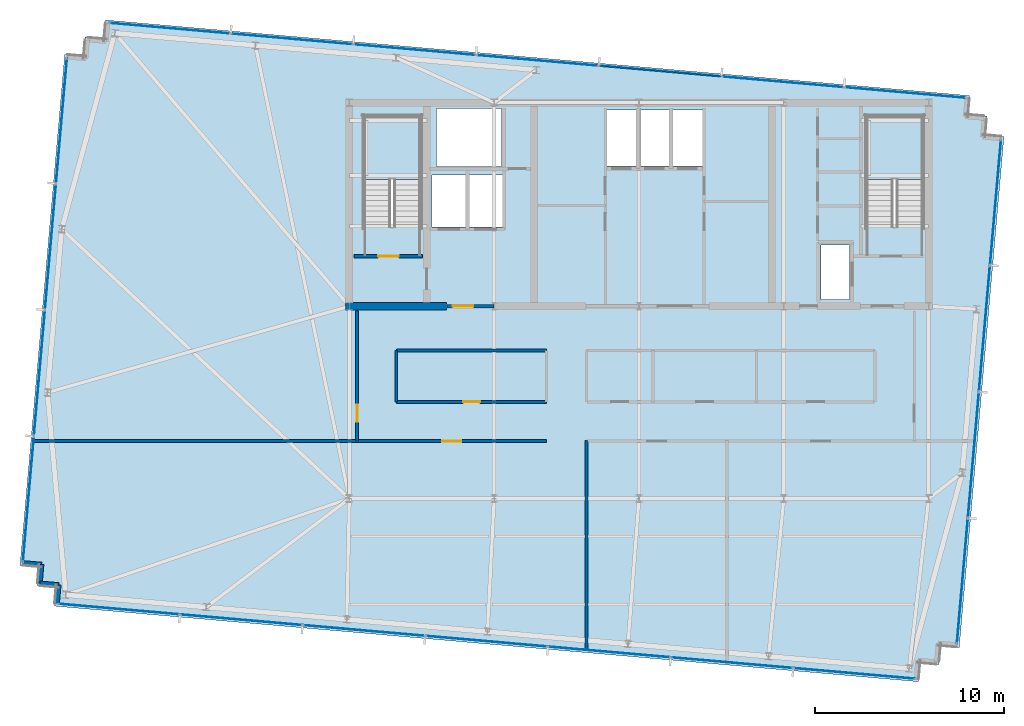
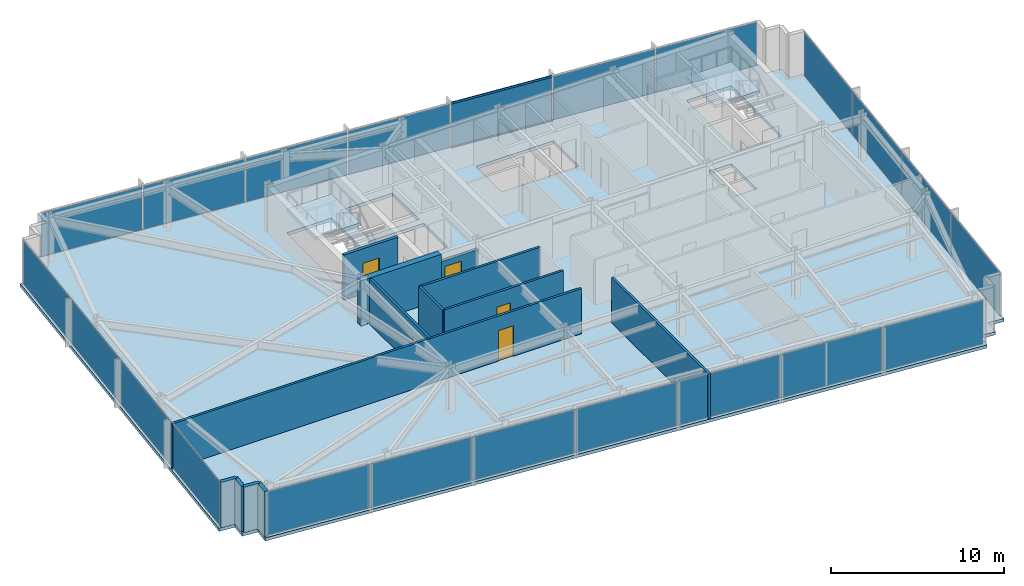
# One storey, part 26 of 32: 22 plates, 13 walls, 5 doors, 3 slabs, 2 members, 5 openings, 6 elements without a shape of their own.
"""IFC4 building model written with IfcOpenShell, lengths in metres."""

from ifc_helpers import new_model, si_unit, direction, frame, frame_2d, origin, origin_2d, place, context, subcontext, project, spatial, polyline, rectangle, hollow_rectangle, outline, extrude, material, layer, layer_set, material_profile, profile_set, type_object, element, fill, aggregate, save


model = new_model("IFC4")

# Units and contexts
model_context = context("Model", 3, precision=1e-05, world=origin(), true_north=direction((0.0, 1.0)))
body_context = subcontext(model_context, "Body", "Model", "MODEL_VIEW")
ifc_project = project(units=[si_unit("LENGTHUNIT", "METRE"), si_unit("AREAUNIT", "SQUARE_METRE"), si_unit("VOLUMEUNIT", "CUBIC_METRE"), si_unit("PLANEANGLEUNIT", "RADIAN"), si_unit("MASSUNIT", "GRAM", prefix="KILO")], contexts=[model_context])

# Site, building, storey
site_placement = place(None, origin())
site = spatial("IfcSite", under=ifc_project, at=site_placement, CompositionType="ELEMENT")
building_placement = place(site_placement, origin())
building = spatial("IfcBuilding", under=site, at=building_placement, Name="Yelkora Congress Tower", CompositionType="ELEMENT")
storey_placement = place(building_placement, frame((0.0, 0.0, 272.699951171875)))
storey = spatial("IfcBuildingStorey", under=building, at=storey_placement, Name="L76", CompositionType="ELEMENT", Elevation=272.699951171875)

# Curtain wall, members
ifc_material_1 = material(Name="Anodised aluminium and insulated glass", Category="aluminium")
curtain_wall_type = type_object("IfcCurtainWallType", Name="CW-SYS-B5", PredefinedType="NOTDEFINED", material=ifc_material_1)
curtain_wall_1_placement = place(storey_placement, origin())
curtain_wall_1 = element("IfcCurtainWall", 1, at=curtain_wall_1_placement, inside=storey, type_object=curtain_wall_type, Name="L76 Unitised Curtain Wall 10", PredefinedType="NOTDEFINED")
ifc_material_2 = material(Name="Anodised aluminium 6063-T6", Category="aluminium")
ifc_material_profile = material_profile(ifc_material_2, hollow_rectangle(XDim=0.06005859375, YDim=0.1298828125, WallThickness=0.00390625, at=origin_2d()), Name="ALU 60x130x4")
ifc_profile_set = profile_set([ifc_material_profile], Name="Anodised aluminium 6063-T6")
member_type = type_object("IfcMemberType", Name="MEM-TR-B5", PredefinedType="USERDEFINED", material=ifc_profile_set)
member_1_placement = place(storey_placement, frame((36.298583984375, 48.14794921875, 0.030029296875), z_axis=(0.996192979814, -0.08717538052, 0.0), x_axis=(0.08717538052, 0.996192979814, 0.0)))
member_1 = element("IfcMember", 2, at=member_1_placement, type_object=member_type, Name="CW-B5 transom 5.1", ObjectType="TRANSOM", PredefinedType="USERDEFINED", context=body_context, shape_type="SweptSolid", body=[
    extrude(hollow_rectangle(XDim=0.06005859375, YDim=0.1298828125, WallThickness=0.00390625, at=origin_2d()), origin(), (0.0, 0.0, 1.0), 6.466552734375),
])
member_2_placement = place(storey_placement, frame((36.298583984375, 48.14794921875, 3.150146484375), z_axis=(0.996192979814, -0.08717538052, 0.0), x_axis=(0.08717538052, 0.996192979814, 0.0)))
member_2 = element("IfcMember", 3, at=member_2_placement, type_object=member_type, Name="CW-B5 transom 5.2", ObjectType="TRANSOM", PredefinedType="USERDEFINED", context=body_context, shape_type="SweptSolid", body=[
    extrude(hollow_rectangle(XDim=0.06005859375, YDim=0.1298828125, WallThickness=0.00390625, at=origin_2d()), origin(), (0.0, 0.0, 1.0), 6.466552734375),
])

# Curtain wall, plates
curtain_wall_2_placement = place(storey_placement, origin())
curtain_wall_2 = element("IfcCurtainWall", 4, at=curtain_wall_2_placement, inside=storey, type_object=curtain_wall_type, Name="L76 Unitised Curtain Wall 5", PredefinedType="NOTDEFINED")
ifc_material_3 = material(Name="High-altitude triple glazed unit B5", Category="glass")
ifc_layer_1 = layer(ifc_material_3, 0.033935546875)
ifc_layer_set_1 = layer_set([ifc_layer_1], Name="High-altitude triple glazed unit B5")
plate_type = type_object("IfcPlateType", Name="PLT-PN-B5", PredefinedType="CURTAIN_PANEL", material=ifc_layer_set_1)
plate_1_placement = place(storey_placement, frame((6.021728515625, 25.16064453125, 0.06005859375), z_axis=(0.0, 0.0, 1.0), x_axis=(0.08715473876, 0.996194785929, 0.0)))
plate_1 = element("IfcPlate", 5, at=plate_1_placement, type_object=plate_type, Name="CW-B5 panel 1.1", PredefinedType="CURTAIN_PANEL", context=body_context, shape_type="SweptSolid", body=[
    extrude(rectangle(XDim=6.632568359375, YDim=0.033935546875, at=origin_2d()), origin(), (0.0, 0.0, 1.0), 3.06005859375),
])
plate_2_placement = place(storey_placement, frame((6.60693359375, 31.848876953125, 0.06005859375), z_axis=(0.0, 0.0, 1.0), x_axis=(0.08715473876, 0.996194785929, 0.0)))
plate_2 = element("IfcPlate", 6, at=plate_2_placement, type_object=plate_type, Name="CW-B5 panel 2.1", PredefinedType="CURTAIN_PANEL", context=body_context, shape_type="SweptSolid", body=[
    extrude(rectangle(XDim=6.6650390625, YDim=0.033935546875, at=origin_2d()), origin(), (0.0, 0.0, 1.0), 3.06005859375),
])
plate_3_placement = place(storey_placement, frame((7.193359375, 38.55322265625, 0.06005859375), z_axis=(0.0, 0.0, 1.0), x_axis=(0.08715473876, 0.996194785929, 0.0)))
plate_3 = element("IfcPlate", 7, at=plate_3_placement, type_object=plate_type, Name="CW-B5 panel 3.1", PredefinedType="CURTAIN_PANEL", context=body_context, shape_type="SweptSolid", body=[
    extrude(rectangle(XDim=6.6650390625, YDim=0.033935546875, at=origin_2d()), origin(), (0.0, 0.0, 1.0), 3.06005859375),
])
plate_4_placement = place(storey_placement, frame((7.778564453125, 45.2412109375, 0.06005859375), z_axis=(0.0, 0.0, 1.0), x_axis=(0.08715473876, 0.996194785929, 0.0)))
plate_4 = element("IfcPlate", 8, at=plate_4_placement, type_object=plate_type, Name="CW-B5 panel 4.1", PredefinedType="CURTAIN_PANEL", context=body_context, shape_type="SweptSolid", body=[
    extrude(rectangle(XDim=6.632568359375, YDim=0.033935546875, at=origin_2d()), origin(), (0.0, 0.0, 1.0), 3.06005859375),
])
aggregate(curtain_wall_2, [plate_1, plate_2, plate_3, plate_4])

# Plate
plate_5_placement = place(storey_placement, frame((13.509521484375, 50.141845703125, 0.06005859375), z_axis=(0.0, 0.0, 1.0), x_axis=(0.996194619601, -0.087156639893, 0.0)))
plate_5 = element("IfcPlate", 9, at=plate_5_placement, type_object=plate_type, Name="CW-B5 panel 1.1", PredefinedType="CURTAIN_PANEL", context=body_context, shape_type="SweptSolid", body=[
    extrude(rectangle(XDim=6.433837890625, YDim=0.033935546875, at=origin_2d()), origin(), (0.0, 0.0, 1.0), 3.06005859375),
])

plate_6_placement = place(storey_placement, frame((19.999755859375, 49.573974609375, 0.06005859375), z_axis=(0.0, 0.0, 1.0), x_axis=(0.996194619601, -0.087156639893, 0.0)))
plate_6 = element("IfcPlate", 10, at=plate_6_placement, type_object=plate_type, Name="CW-B5 panel 2.1", PredefinedType="CURTAIN_PANEL", context=body_context, shape_type="SweptSolid", body=[
    extrude(rectangle(XDim=6.46630859375, YDim=0.033935546875, at=origin_2d()), origin(), (0.0, 0.0, 1.0), 3.06005859375),
])

plate_7_placement = place(storey_placement, frame((26.50634765625, 49.004638671875, 0.06005859375), z_axis=(0.0, 0.0, 1.0), x_axis=(0.996194619601, -0.087156639893, 0.0)))
plate_7 = element("IfcPlate", 11, at=plate_7_placement, type_object=plate_type, Name="CW-B5 panel 3.1", PredefinedType="CURTAIN_PANEL", context=body_context, shape_type="SweptSolid", body=[
    extrude(rectangle(XDim=6.46630859375, YDim=0.033935546875, at=origin_2d()), origin(), (0.0, 0.0, 1.0), 3.06005859375),
])

plate_8_placement = place(storey_placement, frame((33.012939453125, 48.435302734375, 0.06005859375), z_axis=(0.0, 0.0, 1.0), x_axis=(0.996194619601, -0.087156639893, 0.0)))
plate_8 = element("IfcPlate", 12, at=plate_8_placement, type_object=plate_type, Name="CW-B5 panel 4.1", PredefinedType="CURTAIN_PANEL", context=body_context, shape_type="SweptSolid", body=[
    extrude(rectangle(XDim=6.46630859375, YDim=0.033935546875, at=origin_2d()), origin(), (0.0, 0.0, 1.0), 3.06005859375),
])

plate_9_placement = place(storey_placement, frame((39.51953125, 47.8662109375, 0.06005859375), z_axis=(0.0, 0.0, 1.0), x_axis=(0.996194619601, -0.087156639893, 0.0)))
plate_9 = element("IfcPlate", 13, at=plate_9_placement, type_object=plate_type, Name="CW-B5 panel 5.1", PredefinedType="CURTAIN_PANEL", context=body_context, shape_type="SweptSolid", body=[
    extrude(rectangle(XDim=6.46630859375, YDim=0.033935546875, at=origin_2d()), origin(), (0.0, 0.0, 1.0), 3.06005859375),
])

plate_10_placement = place(storey_placement, frame((46.026123046875, 47.296875, 0.06005859375), z_axis=(0.0, 0.0, 1.0), x_axis=(0.996194619601, -0.087156639893, 0.0)))
plate_10 = element("IfcPlate", 14, at=plate_10_placement, type_object=plate_type, Name="CW-B5 panel 6.1", PredefinedType="CURTAIN_PANEL", context=body_context, shape_type="SweptSolid", body=[
    extrude(rectangle(XDim=6.46630859375, YDim=0.033935546875, at=origin_2d()), origin(), (0.0, 0.0, 1.0), 3.06005859375),
])

plate_11_placement = place(storey_placement, frame((52.5166015625, 46.72900390625, 0.06005859375), z_axis=(0.0, 0.0, 1.0), x_axis=(0.996194619601, -0.087156639893, 0.0)))
plate_11 = element("IfcPlate", 15, at=plate_11_placement, type_object=plate_type, Name="CW-B5 panel 7.1", PredefinedType="CURTAIN_PANEL", context=body_context, shape_type="SweptSolid", body=[
    extrude(rectangle(XDim=6.433837890625, YDim=0.033935546875, at=origin_2d()), origin(), (0.0, 0.0, 1.0), 3.06005859375),
])

aggregate(curtain_wall_1, [plate_5, plate_6, plate_7, plate_8, member_1, member_2, plate_9, plate_10, plate_11])

# Curtain wall, plates
curtain_wall_3_placement = place(storey_placement, origin())
curtain_wall_3 = element("IfcCurtainWall", 16, at=curtain_wall_3_placement, inside=storey, type_object=curtain_wall_type, Name="L76 Unitised Curtain Wall 15", PredefinedType="NOTDEFINED")
plate_12_placement = place(storey_placement, frame((57.309326171875, 40.907958984375, 0.06005859375), z_axis=(0.0, 0.0, 1.0), x_axis=(-0.087158425264, -0.996194463398, 0.0)))
plate_12 = element("IfcPlate", 17, at=plate_12_placement, type_object=plate_type, Name="CW-B5 panel 1.1", PredefinedType="CURTAIN_PANEL", context=body_context, shape_type="SweptSolid", body=[
    extrude(rectangle(XDim=6.632568359375, YDim=0.033935546875, at=origin_2d()), origin(), (0.0, 0.0, 1.0), 3.06005859375),
])
plate_13_placement = place(storey_placement, frame((56.72412109375, 34.2197265625, 0.06005859375), z_axis=(0.0, 0.0, 1.0), x_axis=(-0.087158425264, -0.996194463398, 0.0)))
plate_13 = element("IfcPlate", 18, at=plate_13_placement, type_object=plate_type, Name="CW-B5 panel 2.1", PredefinedType="CURTAIN_PANEL", context=body_context, shape_type="SweptSolid", body=[
    extrude(rectangle(XDim=6.6650390625, YDim=0.033935546875, at=origin_2d()), origin(), (0.0, 0.0, 1.0), 3.06005859375),
])
plate_14_placement = place(storey_placement, frame((56.1376953125, 27.515380859375, 0.06005859375), z_axis=(0.0, 0.0, 1.0), x_axis=(-0.087158425264, -0.996194463398, 0.0)))
plate_14 = element("IfcPlate", 19, at=plate_14_placement, type_object=plate_type, Name="CW-B5 panel 3.1", PredefinedType="CURTAIN_PANEL", context=body_context, shape_type="SweptSolid", body=[
    extrude(rectangle(XDim=6.6650390625, YDim=0.033935546875, at=origin_2d()), origin(), (0.0, 0.0, 1.0), 3.06005859375),
])
plate_15_placement = place(storey_placement, frame((55.552490234375, 20.8271484375, 0.06005859375), z_axis=(0.0, 0.0, 1.0), x_axis=(-0.087158425264, -0.996194463398, 0.0)))
plate_15 = element("IfcPlate", 20, at=plate_15_placement, type_object=plate_type, Name="CW-B5 panel 4.1", PredefinedType="CURTAIN_PANEL", context=body_context, shape_type="SweptSolid", body=[
    extrude(rectangle(XDim=6.632568359375, YDim=0.033935546875, at=origin_2d()), origin(), (0.0, 0.0, 1.0), 3.06005859375),
])
aggregate(curtain_wall_3, [plate_12, plate_13, plate_14, plate_15])

curtain_wall_4_placement = place(storey_placement, origin())
curtain_wall_4 = element("IfcCurtainWall", 21, at=curtain_wall_4_placement, inside=storey, type_object=curtain_wall_type, Name="L76 Unitised Curtain Wall 20", PredefinedType="NOTDEFINED")
plate_16_placement = place(storey_placement, frame((49.821533203125, 15.9267578125, 0.06005859375), z_axis=(0.0, 0.0, 1.0), x_axis=(-0.996194602987, 0.087156829793, 0.0)))
plate_16 = element("IfcPlate", 22, at=plate_16_placement, type_object=plate_type, Name="CW-B5 panel 1.1", PredefinedType="CURTAIN_PANEL", context=body_context, shape_type="SweptSolid", body=[
    extrude(rectangle(XDim=6.433837890625, YDim=0.033935546875, at=origin_2d()), origin(), (0.0, 0.0, 1.0), 3.06005859375),
])
plate_17_placement = place(storey_placement, frame((43.331298828125, 16.49462890625, 0.06005859375), z_axis=(0.0, 0.0, 1.0), x_axis=(-0.996194602987, 0.087156829793, 0.0)))
plate_17 = element("IfcPlate", 23, at=plate_17_placement, type_object=plate_type, Name="CW-B5 panel 2.1", PredefinedType="CURTAIN_PANEL", context=body_context, shape_type="SweptSolid", body=[
    extrude(rectangle(XDim=6.46630859375, YDim=0.033935546875, at=origin_2d()), origin(), (0.0, 0.0, 1.0), 3.06005859375),
])
plate_18_placement = place(storey_placement, frame((36.82470703125, 17.06396484375, 0.06005859375), z_axis=(0.0, 0.0, 1.0), x_axis=(-0.996194602987, 0.087156829793, 0.0)))
plate_18 = element("IfcPlate", 24, at=plate_18_placement, type_object=plate_type, Name="CW-B5 panel 3.1", PredefinedType="CURTAIN_PANEL", context=body_context, shape_type="SweptSolid", body=[
    extrude(rectangle(XDim=6.46630859375, YDim=0.033935546875, at=origin_2d()), origin(), (0.0, 0.0, 1.0), 3.06005859375),
])
plate_19_placement = place(storey_placement, frame((30.318115234375, 17.633056640625, 0.06005859375), z_axis=(0.0, 0.0, 1.0), x_axis=(-0.996194602987, 0.087156829793, 0.0)))
plate_19 = element("IfcPlate", 25, at=plate_19_placement, type_object=plate_type, Name="CW-B5 panel 4.1", PredefinedType="CURTAIN_PANEL", context=body_context, shape_type="SweptSolid", body=[
    extrude(rectangle(XDim=6.46630859375, YDim=0.033935546875, at=origin_2d()), origin(), (0.0, 0.0, 1.0), 3.06005859375),
])
plate_20_placement = place(storey_placement, frame((23.8115234375, 18.202392578125, 0.06005859375), z_axis=(0.0, 0.0, 1.0), x_axis=(-0.996194602987, 0.087156829793, 0.0)))
plate_20 = element("IfcPlate", 26, at=plate_20_placement, type_object=plate_type, Name="CW-B5 panel 5.1", PredefinedType="CURTAIN_PANEL", context=body_context, shape_type="SweptSolid", body=[
    extrude(rectangle(XDim=6.46630859375, YDim=0.033935546875, at=origin_2d()), origin(), (0.0, 0.0, 1.0), 3.06005859375),
])
plate_21_placement = place(storey_placement, frame((17.304931640625, 18.771728515625, 0.06005859375), z_axis=(0.0, 0.0, 1.0), x_axis=(-0.996194602987, 0.087156829793, 0.0)))
plate_21 = element("IfcPlate", 27, at=plate_21_placement, type_object=plate_type, Name="CW-B5 panel 6.1", PredefinedType="CURTAIN_PANEL", context=body_context, shape_type="SweptSolid", body=[
    extrude(rectangle(XDim=6.46630859375, YDim=0.033935546875, at=origin_2d()), origin(), (0.0, 0.0, 1.0), 3.06005859375),
])
plate_22_placement = place(storey_placement, frame((10.814697265625, 19.33935546875, 0.06005859375), z_axis=(0.0, 0.0, 1.0), x_axis=(-0.996194602987, 0.087156829793, 0.0)))
plate_22 = element("IfcPlate", 28, at=plate_22_placement, type_object=plate_type, Name="CW-B5 panel 7.1", PredefinedType="CURTAIN_PANEL", context=body_context, shape_type="SweptSolid", body=[
    extrude(rectangle(XDim=6.433837890625, YDim=0.033935546875, at=origin_2d()), origin(), (0.0, 0.0, 1.0), 3.06005859375),
])
aggregate(curtain_wall_4, [plate_16, plate_17, plate_18, plate_19, plate_20, plate_21, plate_22])

# Stair, slab
ifc_material_4 = material(Name="Concrete C40/50", Category="concrete")
stair_type = type_object("IfcStairType", Name="STAIR-HT-1420-R20-170", PredefinedType="HALF_TURN_STAIR", material=ifc_material_4)
stair_1_placement = place(storey_placement, origin())
stair_1 = element("IfcStair", 29, at=stair_1_placement, inside=storey, type_object=stair_type, Name="West Core Protected Exit Stair ST-01 (L76)", PredefinedType="HALF_TURN_STAIR")
ifc_layer_2 = layer(ifc_material_4, 0.219970703125)
ifc_layer_set_2 = layer_set([ifc_layer_2], Name="Concrete C40/50")
slab_type_1 = type_object("IfcSlabType", Name="SLAB-LANDING-220", PredefinedType="LANDING", material=ifc_layer_set_2)
slab_1_placement = place(storey_placement, frame((0.0, 0.0, 1.47998046875)))
slab_1 = element("IfcSlab", 30, at=slab_1_placement, type_object=slab_type_1, Name="ST-01 L76 Half Landing 1", PredefinedType="LANDING", context=body_context, shape_type="SweptSolid", body=[
    extrude(outline(polyline([(26.820068359375, 42.1201171875), (26.820068359375, 45.469970703125), (23.820068359375, 45.469970703125), (23.820068359375, 42.1201171875), (26.820068359375, 42.1201171875)])), origin(), (0.0, 0.0, 1.0), 0.219970703125),
])
aggregate(stair_1, [slab_1])

stair_2_placement = place(storey_placement, origin())
stair_2 = element("IfcStair", 31, at=stair_2_placement, inside=storey, type_object=stair_type, Name="East Core Protected Exit Stair ST-02 (L76)", PredefinedType="HALF_TURN_STAIR")
slab_2_placement = place(storey_placement, frame((0.0, 0.0, 1.47998046875)))
slab_2 = element("IfcSlab", 32, at=slab_2_placement, type_object=slab_type_1, Name="ST-02 L76 Half Landing 1", PredefinedType="LANDING", context=body_context, shape_type="SweptSolid", body=[
    extrude(outline(polyline([(53.4599609375, 42.1201171875), (53.4599609375, 45.469970703125), (50.4599609375, 45.469970703125), (50.4599609375, 42.1201171875), (53.4599609375, 42.1201171875)])), origin(), (0.0, 0.0, 1.0), 0.219970703125),
])
aggregate(stair_2, [slab_2])

# Slab
ifc_layer_3 = layer(ifc_material_4, 0.219970703125)
ifc_layer_set_3 = layer_set([ifc_layer_3], Name="Concrete C40/50")
slab_type_2 = type_object("IfcSlabType", Name="SLAB-TWR-220", PredefinedType="FLOOR", material=ifc_layer_set_3)
slab_3_placement = place(storey_placement, frame((0.0, 0.0, -0.219970703125)))
element("IfcSlab", 33, at=slab_3_placement, inside=storey, type_object=slab_type_2, Name="L76 Structural Floor Slab", PredefinedType="FLOOR", context=body_context, shape_type="SweptSolid", body=[
    extrude(outline(polyline([(7.3935546875, 19.498291015625), (53.218505859375, 15.489013671875), (53.3056640625, 16.485107421875), (54.3017578125, 16.398193359375), (54.388916015625, 17.394287109375), (55.385009765625, 17.30712890625), (57.755859375, 44.403564453125), (56.759521484375, 44.49072265625), (56.8466796875, 45.487060546875), (55.8505859375, 45.57421875), (55.937744140625, 46.5703125), (10.11279296875, 50.57958984375), (10.025634765625, 49.583251953125), (9.029296875, 49.67041015625), (8.942138671875, 48.67431640625), (7.946044921875, 48.761474609375), (5.575439453125, 21.664794921875), (6.571533203125, 21.57763671875), (6.484619140625, 20.58154296875), (7.480712890625, 20.494384765625), (7.3935546875, 19.498291015625)]), holes=[polyline([(23.820068359375, 39.6298828125), (26.820068359375, 39.6298828125), (26.820068359375, 45.469970703125), (23.820068359375, 45.469970703125), (23.820068359375, 39.6298828125)]), polyline([(50.4599609375, 39.6298828125), (53.4599609375, 39.6298828125), (53.4599609375, 45.469970703125), (50.4599609375, 45.469970703125), (50.4599609375, 39.6298828125)]), polyline([(48.050048828125, 35.75), (49.550048828125, 35.75), (49.550048828125, 38.64990234375), (48.050048828125, 38.64990234375), (48.050048828125, 35.75)]), polyline([(36.64990234375, 42.85009765625), (41.800048828125, 42.85009765625), (41.800048828125, 45.800048828125), (36.64990234375, 45.800048828125), (36.64990234375, 42.85009765625)]), polyline([(27.419921875, 39.60009765625), (31.179931640625, 39.60009765625), (31.179931640625, 42.35009765625), (27.419921875, 42.35009765625), (27.419921875, 39.60009765625)]), polyline([(27.64990234375, 42.820068359375), (31.1201171875, 42.820068359375), (31.1201171875, 45.8798828125), (27.64990234375, 45.8798828125), (27.64990234375, 42.820068359375)])]), origin(), (0.0, 0.0, 1.0), 0.219970703125),
])

# Walls
ifc_material_5 = material(Name="Concrete C50/60", Category="concrete")
ifc_layer_4 = layer(ifc_material_5, 0.39990234375)
ifc_layer_set_4 = layer_set([ifc_layer_4], Name="Concrete C50/60")
wall_type_1 = type_object("IfcWallType", Name="WALL-CORE-INT-400", PredefinedType="SHEAR", material=ifc_layer_set_4)
wall_1_placement = place(storey_placement, frame((22.840087890625, 35.39990234375, 0.0), z_axis=(0.0, 0.0, 1.0), x_axis=(1.0, 0.0, 0.0)))
element("IfcWall", 34, at=wall_1_placement, inside=storey, type_object=wall_type_1, Name="L76 Rear Core South-West Shear Wall", PredefinedType="SHEAR", context=body_context, shape_type="SweptSolid", body=[
    extrude(rectangle(XDim=5.35986328125, YDim=0.39990234375, at=frame_2d((2.679931640625, 0.0))), origin(), (0.0, 0.0, 1.0), 3.179931640625),
])
ifc_layer_5 = layer(ifc_material_4, 0.239990234375)
ifc_layer_set_5 = layer_set([ifc_layer_5], Name="Concrete C40/50")
wall_type_2 = type_object("IfcWallType", Name="WALL-EXT-LIMESTONE-240", PredefinedType="SOLIDWALL", material=ifc_layer_set_5)
for number, where, z_axis, x_axis, name in (
    (35, (7.545166015625, 19.62548828125, 0.0), (0.0, 0.0, 1.0), (0.087166950281, 0.996193717496, 0.0), "L76 Serrated Corner Limestone Pier 1"),
    (36, (7.63232421875, 20.62158203125, 0.0), (0.0, 0.0, 1.0), (-0.996193717496, 0.087166950281, 0.0), "L76 Serrated Corner Limestone Pier 2"),
):
    element("IfcWall", number, at=place(storey_placement, frame(where, z_axis=z_axis, x_axis=x_axis)), inside=storey, type_object=wall_type_2, Name=name, PredefinedType="SOLIDWALL", context=body_context, shape_type="SweptSolid", body=[
        extrude(rectangle(XDim=1.0, YDim=0.239990234375, at=frame_2d((0.5, 0.0))), origin(), (0.0, 0.0, 1.0), 3.179931640625),
    ])
for number, where, z_axis, x_axis, name in (
    (37, (6.63623046875, 20.708740234375, 0.0), (0.0, 0.0, 1.0), (0.087145753297, 0.996195572005, 0.0), "L76 Serrated Corner Limestone Pier 3"),
    (38, (6.723388671875, 21.705078125, 0.0), (0.0, 0.0, 1.0), (-0.996195572005, 0.087145753297, 0.0), "L76 Serrated Corner Limestone Pier 4"),
):
    element("IfcWall", number, at=place(storey_placement, frame(where, z_axis=z_axis, x_axis=x_axis)), inside=storey, type_object=wall_type_2, Name=name, PredefinedType="SOLIDWALL", context=body_context, shape_type="SweptSolid", body=[
        extrude(rectangle(XDim=1.000244140625, YDim=0.239990234375, at=frame_2d((0.5, 0.0))), origin(), (0.0, 0.0, 1.0), 3.179931640625),
    ])
ifc_material_6 = material(Name="Acoustic metal-stud gypsum partition", Category="gypsum")
ifc_layer_6 = layer(ifc_material_6, 0.14990234375)
ifc_layer_set_6 = layer_set([ifc_layer_6], Name="Acoustic metal-stud gypsum partition")
wall_type_3 = type_object("IfcWallType", Name="WALL-INT-150-NR", PredefinedType="PARTITIONING", material=ifc_layer_set_6)
wall_2_placement = place(storey_placement, frame((35.6201171875, 17.10888671875, 0.0), z_axis=(0.0, 0.0, 1.0), x_axis=(0.0, 1.0, 0.0)))
element("IfcWall", 39, at=wall_2_placement, inside=storey, type_object=wall_type_3, Name="L76 Partition Wall 24", PredefinedType="PARTITIONING", context=body_context, shape_type="SweptSolid", body=[
    extrude(rectangle(XDim=11.1611328125, YDim=0.14990234375, at=frame_2d((5.58056640625, 0.0))), origin(), (0.0, 0.0, 1.0), 3.179931640625),
])

# Wall, opening, door
wall_3_placement = place(storey_placement, frame((6.231689453125, 28.25, 0.0), z_axis=(0.0, 0.0, 1.0), x_axis=(1.0, 0.0, 0.0)))
wall_3 = element("IfcWall", 40, at=wall_3_placement, inside=storey, type_object=wall_type_3, Name="L76 South Spine Wall West", PredefinedType="PARTITIONING", context=body_context, shape_type="SweptSolid", body=[
    extrude(rectangle(XDim=27.268310546875, YDim=0.14990234375, at=frame_2d((13.63427734375, 0.0))), origin(), (0.0, 0.0, 1.0), 3.179931640625),
])
opening_1_placement = place(wall_3_placement, frame((21.73828125, 0.0, 0.0)))
opening_1 = element("IfcOpeningElement", 41, at=opening_1_placement, cuts=wall_3, Name="Opening DR-100N", PredefinedType="OPENING", context=body_context, shape_type="SweptSolid", body=[
    extrude(rectangle(XDim=1.0, YDim=2.14990234375, at=frame_2d((0.5, 1.074951171875))), frame((0.0, 0.0849609375, 0.0), z_axis=(0.0, -1.0, 0.0), x_axis=(1.0, 0.0, 0.0)), (0.0, 0.0, 1.0), 0.169921875),
])
ifc_material_7 = material(Name="Solid-core Anatolian oak veneer door", Category="wood")
door_type_1 = type_object("IfcDoorType", Name="DOOR-INT-1000", OperationType="NOTDEFINED", PredefinedType="DOOR", material=ifc_material_7)
door_1_placement = place(opening_1_placement, origin())
door_1 = element("IfcDoor", 42, at=door_1_placement, inside=storey, type_object=door_type_1, Name="L76 Store Equipment Door", OperationType="SINGLE_SWING_LEFT", OverallHeight=2.14990234375, OverallWidth=1.0, PredefinedType="DOOR", context=body_context, shape_type="SweptSolid", body=[
    extrude(rectangle(XDim=1.0, YDim=2.14990234375, at=frame_2d((0.5, 1.074951171875))), frame((0.0, 0.02490234375, 0.0), z_axis=(0.0, -1.0, 0.0), x_axis=(1.0, 0.0, 0.0)), (0.0, 0.0, 1.0), 0.050048828125),
])
fill(opening_1, door_1)

wall_4_placement = place(storey_placement, frame((23.449951171875, 28.25, 0.0), z_axis=(0.0, 0.0, 1.0), x_axis=(0.0, 1.0, 0.0)))
wall_4 = element("IfcWall", 43, at=wall_4_placement, inside=storey, type_object=wall_type_3, Name="L76 Partition Wall 28", PredefinedType="PARTITIONING", context=body_context, shape_type="SweptSolid", body=[
    extrude(rectangle(XDim=6.889892578125, YDim=0.14990234375, at=frame_2d((3.44482421875, 0.0))), origin(), (0.0, 0.0, 1.0), 3.179931640625),
])
opening_2_placement = place(wall_4_placement, frame((1.030029296875, 0.0, 0.0)))
opening_2 = element("IfcOpeningElement", 44, at=opening_2_placement, cuts=wall_4, Name="Opening DR-090N", PredefinedType="OPENING", context=body_context, shape_type="SweptSolid", body=[
    extrude(rectangle(XDim=0.89990234375, YDim=2.14990234375, at=frame_2d((0.449951171875, 1.074951171875))), frame((0.0, 0.0849609375, 0.0), z_axis=(0.0, -1.0, 0.0), x_axis=(1.0, 0.0, 0.0)), (0.0, 0.0, 1.0), 0.169921875),
])
ifc_material_8 = material(Name="Moisture-resistant laminate door leaf", Category="wood")
door_type_2 = type_object("IfcDoorType", Name="DOOR-INT-900", OperationType="NOTDEFINED", PredefinedType="DOOR", material=ifc_material_8)
door_2_placement = place(opening_2_placement, origin())
door_2 = element("IfcDoor", 45, at=door_2_placement, inside=storey, type_object=door_type_2, Name="L76 W Wing Door", OperationType="SINGLE_SWING_RIGHT", OverallHeight=2.14990234375, OverallWidth=0.89990234375, PredefinedType="DOOR", context=body_context, shape_type="SweptSolid", body=[
    extrude(rectangle(XDim=0.89990234375, YDim=2.14990234375, at=frame_2d((0.449951171875, 1.074951171875))), frame((0.0, 0.02490234375, 0.0), z_axis=(0.0, -1.0, 0.0), x_axis=(1.0, 0.0, 0.0)), (0.0, 0.0, 1.0), 0.050048828125),
])
fill(opening_2, door_2)

# Walls
wall_5_placement = place(storey_placement, frame((25.530029296875, 30.330078125, 0.0), z_axis=(0.0, 0.0, 1.0), x_axis=(0.0, 1.0, 0.0)))
element("IfcWall", 46, at=wall_5_placement, inside=storey, type_object=wall_type_3, Name="L76 Partition Wall 30", PredefinedType="PARTITIONING", context=body_context, shape_type="SweptSolid", body=[
    extrude(rectangle(XDim=2.719970703125, YDim=0.14990234375, at=frame_2d((1.35986328125, 0.0))), origin(), (0.0, 0.0, 1.0), 3.179931640625),
])
wall_6_placement = place(storey_placement, frame((25.530029296875, 33.050048828125, 0.0), z_axis=(0.0, 0.0, 1.0), x_axis=(1.0, 0.0, 0.0)))
element("IfcWall", 47, at=wall_6_placement, inside=storey, type_object=wall_type_3, Name="L76 Partition Wall 34", PredefinedType="PARTITIONING", context=body_context, shape_type="SweptSolid", body=[
    extrude(rectangle(XDim=7.969970703125, YDim=0.14990234375, at=frame_2d((3.98486328125, 0.0))), origin(), (0.0, 0.0, 1.0), 3.179931640625),
])

# Wall, opening, door
wall_7_placement = place(storey_placement, frame((25.550048828125, 30.330078125, 0.0), z_axis=(0.0, 0.0, 1.0), x_axis=(1.0, 0.0, 0.0)))
wall_7 = element("IfcWall", 48, at=wall_7_placement, inside=storey, type_object=wall_type_3, Name="L76 Partition Wall 36", PredefinedType="PARTITIONING", context=body_context, shape_type="SweptSolid", body=[
    extrude(rectangle(XDim=7.93994140625, YDim=0.14990234375, at=frame_2d((3.969970703125, 0.0))), origin(), (0.0, 0.0, 1.0), 3.179931640625),
])
opening_3_placement = place(wall_7_placement, frame((3.52001953125, 0.0, 0.0)))
opening_3 = element("IfcOpeningElement", 49, at=opening_3_placement, cuts=wall_7, Name="Opening DR-090N", PredefinedType="OPENING", context=body_context, shape_type="SweptSolid", body=[
    extrude(rectangle(XDim=0.89990234375, YDim=2.14990234375, at=frame_2d((0.449951171875, 1.074951171875))), frame((0.0, 0.0849609375, 0.0), z_axis=(0.0, -1.0, 0.0), x_axis=(1.0, 0.0, 0.0)), (0.0, 0.0, 1.0), 0.169921875),
])
door_3_placement = place(opening_3_placement, origin())
door_3 = element("IfcDoor", 50, at=door_3_placement, inside=storey, type_object=door_type_2, Name="L76 Executive Boardroom Door", OperationType="SINGLE_SWING_RIGHT", OverallHeight=2.14990234375, OverallWidth=0.89990234375, PredefinedType="DOOR", context=body_context, shape_type="SweptSolid", body=[
    extrude(rectangle(XDim=0.89990234375, YDim=2.14990234375, at=frame_2d((0.449951171875, 1.074951171875))), frame((0.0, 0.02490234375, 0.0), z_axis=(0.0, -1.0, 0.0), x_axis=(1.0, 0.0, 0.0)), (0.0, 0.0, 1.0), 0.050048828125),
])
fill(opening_3, door_3)

ifc_material_9 = material(Name="Autoclaved aerated concrete blockwork", Category="masonry")
ifc_layer_7 = layer(ifc_material_9, 0.199951171875)
ifc_layer_set_7 = layer_set([ifc_layer_7], Name="Autoclaved aerated concrete blockwork")
wall_type_4 = type_object("IfcWallType", Name="WALL-INT-200-R120", PredefinedType="PARTITIONING", material=ifc_layer_set_7)
wall_8_placement = place(storey_placement, frame((23.300048828125, 38.050048828125, 0.0), z_axis=(0.0, 0.0, 1.0), x_axis=(1.0, 0.0, 0.0)))
wall_8 = element("IfcWall", 51, at=wall_8_placement, inside=storey, type_object=wall_type_4, Name="L76 Stair ST-01 Enclosure Wall", PredefinedType="PARTITIONING", context=body_context, shape_type="SweptSolid", body=[
    extrude(rectangle(XDim=3.619873046875, YDim=0.199951171875, at=frame_2d((1.81005859375, 0.0))), origin(), (0.0, 0.0, 1.0), 3.179931640625),
])
opening_4_placement = place(wall_8_placement, frame((1.260009765625, 0.0, 0.0)))
opening_4 = element("IfcOpeningElement", 52, at=opening_4_placement, cuts=wall_8, Name="Opening DR-110F9", PredefinedType="OPENING", context=body_context, shape_type="SweptSolid", body=[
    extrude(rectangle(XDim=1.10009765625, YDim=2.14990234375, at=frame_2d((0.550048828125, 1.074951171875))), frame((0.0, 0.10986328125, 0.0), z_axis=(0.0, -1.0, 0.0), x_axis=(1.0, 0.0, 0.0)), (0.0, 0.0, 1.0), 0.219970703125),
])
ifc_material_10 = material(Name="Galvanised steel fire door leaf", Category="steel")
door_type_3 = type_object("IfcDoorType", Name="DOOR-FD90-1100", OperationType="NOTDEFINED", PredefinedType="DOOR", material=ifc_material_10)
door_4_placement = place(opening_4_placement, origin())
door_4 = element("IfcDoor", 53, at=door_4_placement, inside=storey, type_object=door_type_3, Name="L76 Stair ST-01 Entry Door", OperationType="SINGLE_SWING_LEFT", OverallHeight=2.14990234375, OverallWidth=1.10009765625, PredefinedType="DOOR", context=body_context, shape_type="SweptSolid", body=[
    extrude(rectangle(XDim=1.10009765625, YDim=2.14990234375, at=frame_2d((0.550048828125, 1.074951171875))), frame((0.0, 0.02490234375, 0.0), z_axis=(0.0, -1.0, 0.0), x_axis=(1.0, 0.0, 0.0)), (0.0, 0.0, 1.0), 0.050048828125),
])
fill(opening_4, door_4)

wall_9_placement = place(storey_placement, frame((28.219970703125, 35.39990234375, 0.0), z_axis=(0.0, 0.0, 1.0), x_axis=(1.0, 0.0, 0.0)))
wall_9 = element("IfcWall", 54, at=wall_9_placement, inside=storey, type_object=wall_type_4, Name="L76 Firefighting Lobby South Wall", PredefinedType="PARTITIONING", context=body_context, shape_type="SweptSolid", body=[
    extrude(rectangle(XDim=2.5, YDim=0.199951171875, at=frame_2d((1.25, 0.0))), origin(), (0.0, 0.0, 1.0), 2.574951171875),
])
opening_5_placement = place(wall_9_placement, frame((0.300048828125, 0.0, 0.0)))
opening_5 = element("IfcOpeningElement", 55, at=opening_5_placement, cuts=wall_9, Name="Opening DR-110F9", PredefinedType="OPENING", context=body_context, shape_type="SweptSolid", body=[
    extrude(rectangle(XDim=1.10009765625, YDim=2.14990234375, at=frame_2d((0.550048828125, 1.074951171875))), frame((0.0, 0.10986328125, 0.0), z_axis=(0.0, -1.0, 0.0), x_axis=(1.0, 0.0, 0.0)), (0.0, 0.0, 1.0), 0.219970703125),
])
door_5_placement = place(opening_5_placement, origin())
door_5 = element("IfcDoor", 56, at=door_5_placement, inside=storey, type_object=door_type_3, Name="L76 Firefighting Lobby Corridor Door", OperationType="SINGLE_SWING_RIGHT", OverallHeight=2.14990234375, OverallWidth=1.10009765625, PredefinedType="DOOR", context=body_context, shape_type="SweptSolid", body=[
    extrude(rectangle(XDim=1.10009765625, YDim=2.14990234375, at=frame_2d((0.550048828125, 1.074951171875))), frame((0.0, 0.02490234375, 0.0), z_axis=(0.0, -1.0, 0.0), x_axis=(1.0, 0.0, 0.0)), (0.0, 0.0, 1.0), 0.050048828125),
])
fill(opening_5, door_5)

save(model, "model.ifc")
